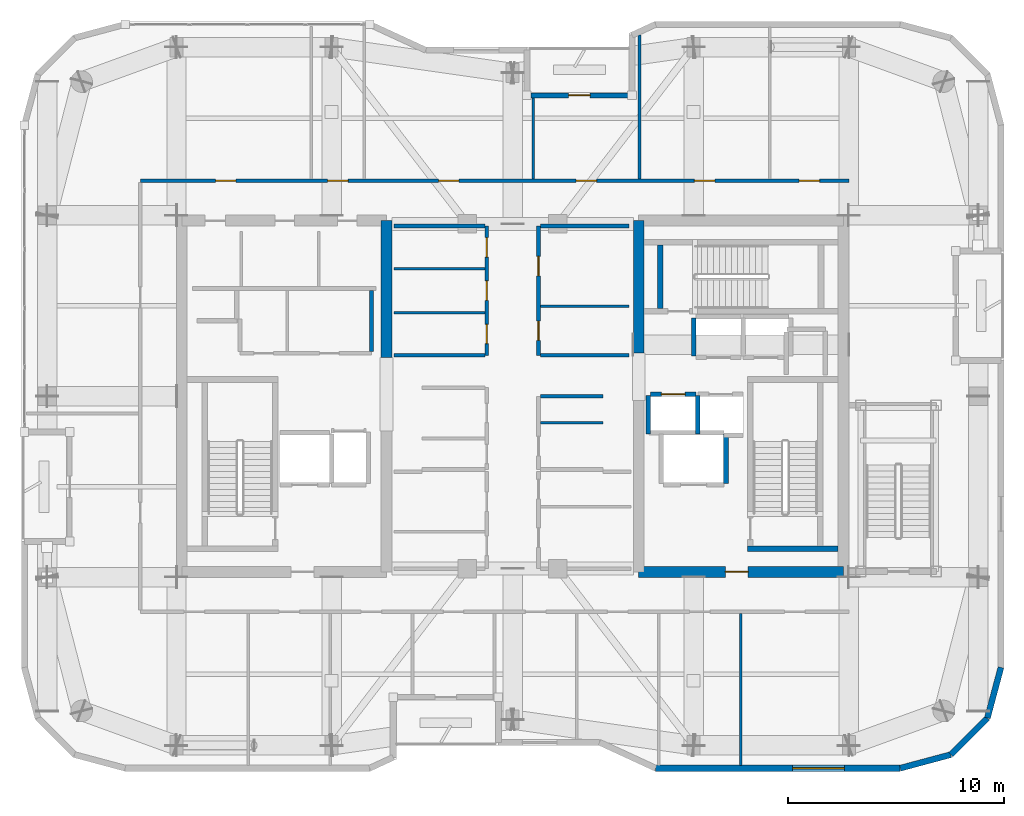
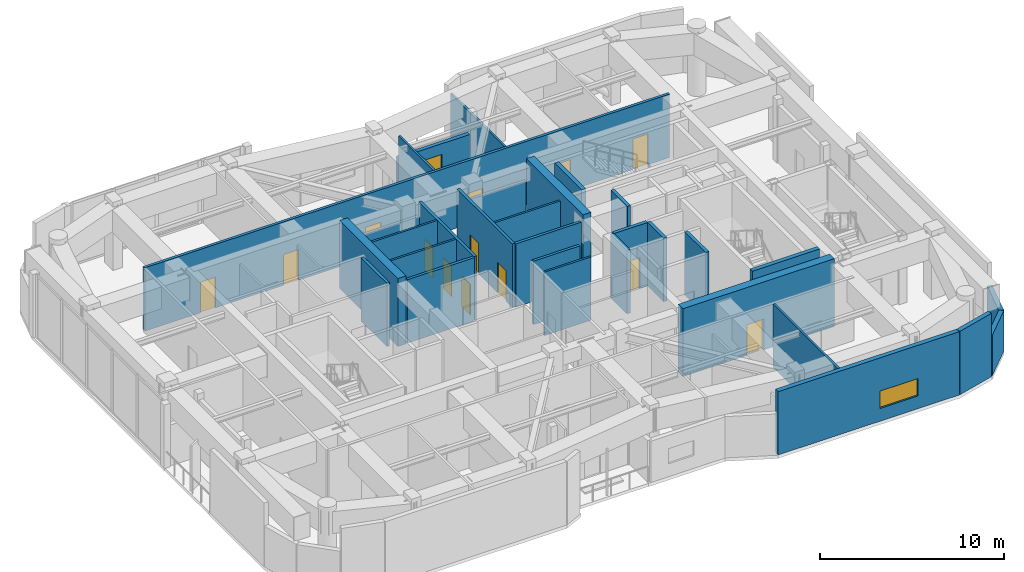
# One storey, part 13 of 17: 31 walls, 14 doors, 1 window, 15 openings.
"""IFC4 building model written with IfcOpenShell, lengths in metres."""

import ifcopenshell
import ifcopenshell.guid

model = None  # the IFC model being written
_history = None  # IfcOwnerHistory: only IFC2X3 demands one
_inside = {}  # id of a spatial element -> (the spatial element, [elements in it])
_under = {}  # id of a project, library or spatial element -> (it, [spatial elements below it])
_declared = {}  # id of a project -> (the project, [libraries it declares])
_typed = {}  # id of a type object -> (the type object, [elements of that type])
_made_of = {}  # id of a material, layer set ... -> (it, [elements and type objects made of it])


def new_model(schema):
    """Start an empty IFC model of exactly this schema.

    Asked for "IFC4X3", IfcOpenShell would pick the latest addendum, in which some entities
    have other attributes; the version numbers below select the first issue.
    IFC2X3 requires an IfcOwnerHistory on every rooted entity: one is made here for all.
    """
    global model, _history
    if schema == "IFC4X3":
        model = ifcopenshell.file(schema_version=(4, 3, 0, 0))
    else:
        model = ifcopenshell.file(schema=schema)
    _inside.clear()
    _under.clear()
    _declared.clear()
    _typed.clear()
    _made_of.clear()
    _history = None
    if model.schema == "IFC2X3":
        org = make("IfcOrganization", Name="unknown")
        user = make(
            "IfcPersonAndOrganization",
            ThePerson=make("IfcPerson", FamilyName="unknown"),
            TheOrganization=org,
        )
        app = make(
            "IfcApplication",
            ApplicationDeveloper=org,
            Version="unknown",
            ApplicationFullName="unknown",
            ApplicationIdentifier="unknown",
        )
        _history = make(
            "IfcOwnerHistory",
            OwningUser=user,
            OwningApplication=app,
            ChangeAction="ADDED",
            CreationDate=0,
        )
    return model


def make(cls, **values):
    """One entity of the class cls with the attributes given. An attribute that is None is left unset."""
    return model.create_entity(
        cls, **{name: value for name, value in values.items() if value is not None}
    )


def rooted(cls, **values):
    """An entity with a GlobalId (a new one), such as an element, a storey or a relation."""
    return make(cls, GlobalId=ifcopenshell.guid.new(), OwnerHistory=_history, **values)


def si_unit(unit_type, name, prefix=None):
    """IfcSIUnit, for example si_unit("LENGTHUNIT", "METRE", prefix="MILLI")."""
    return make("IfcSIUnit", UnitType=unit_type, Prefix=prefix, Name=name)


def assignment(units):
    """IfcUnitAssignment: the units of a project."""
    return None if units is None else make("IfcUnitAssignment", Units=units)


def point(xyz):
    """IfcCartesianPoint."""
    return None if xyz is None else make("IfcCartesianPoint", Coordinates=xyz)


def direction(xyz):
    """IfcDirection."""
    return None if xyz is None else make("IfcDirection", DirectionRatios=xyz)


def frame(location, z_axis=None, x_axis=None):
    """IfcAxis2Placement3D, a coordinate frame: its origin and axes. An axis left out is left unset."""
    return make(
        "IfcAxis2Placement3D",
        Location=point(location),
        Axis=direction(z_axis),
        RefDirection=direction(x_axis),
    )


def frame_2d(location, x_axis=None):
    """IfcAxis2Placement2D, a coordinate frame in the plane: its origin and x axis."""
    return make(
        "IfcAxis2Placement2D", Location=point(location), RefDirection=direction(x_axis)
    )


def origin():
    """The frame at (0, 0, 0) with its axes left unset."""
    return frame((0.0, 0.0, 0.0))


def place(relative_to, where):
    """IfcLocalPlacement: puts the frame where relative to a parent placement (None: the world)."""
    return make(
        "IfcLocalPlacement", PlacementRelTo=relative_to, RelativePlacement=where
    )


def context(
    kind, dimensions, precision=None, world=None, true_north=None, identifier=None
):
    """IfcGeometricRepresentationContext, for example the 3D "Model" context."""
    return make(
        "IfcGeometricRepresentationContext",
        ContextIdentifier=identifier,
        ContextType=kind,
        CoordinateSpaceDimension=dimensions,
        Precision=precision,
        WorldCoordinateSystem=world,
        TrueNorth=true_north,
    )


def subcontext(parent, identifier, kind, view, scale=None):
    """IfcGeometricRepresentationSubContext, for example "Body" below "Model"."""
    return make(
        "IfcGeometricRepresentationSubContext",
        ContextIdentifier=identifier,
        ContextType=kind,
        ParentContext=parent,
        TargetScale=scale,
        TargetView=view,
    )


def project(units=None, contexts=None):
    """IfcProject with its units and contexts."""
    return rooted(
        "IfcProject",
        Name="project",
        RepresentationContexts=contexts,
        UnitsInContext=assignment(units),
    )


def spatial(cls, under=None, at=None, **own):
    """A site, building, storey or space (cls), placed at a placement, below another one or the project."""
    s = rooted(cls, ObjectPlacement=at, **own)
    if under is not None:
        _under.setdefault(under.id(), (under, []))[1].append(s)
    return s


def profile(cls, at=None, kind="AREA", **sizes):
    """A parametric profile (cls). Its sizes go by their IFC names, for example OverallWidth=200.0."""
    return make(cls, ProfileType=kind, Position=at, **sizes)


def rectangle(**sizes):
    """IfcRectangleProfileDef."""
    return profile("IfcRectangleProfileDef", **sizes)


def extrude(swept, where, along, depth):
    """IfcExtrudedAreaSolid: the profile swept, set in the frame where, extruded along a direction by depth."""
    return make(
        "IfcExtrudedAreaSolid",
        SweptArea=swept,
        Position=where,
        ExtrudedDirection=direction(along),
        Depth=depth,
    )


def shape(context_of_items, identifier, shape_type, items):
    """IfcShapeRepresentation: the items that make up one representation, for example the "Body"."""
    return make(
        "IfcShapeRepresentation",
        ContextOfItems=context_of_items,
        RepresentationIdentifier=identifier,
        RepresentationType=shape_type,
        Items=items,
    )


def material(Name=None, Category=None):
    """IfcMaterial."""
    return make("IfcMaterial", Name=Name, Category=Category)


def layer(
    of_material, thickness, ventilated=None, Name=None, Category=None, Priority=None
):
    """IfcMaterialLayer: one layer of a wall or slab, of a material (None: an air gap)."""
    return make(
        "IfcMaterialLayer",
        Material=of_material,
        LayerThickness=thickness,
        IsVentilated=ventilated,
        Name=Name,
        Category=Category,
        Priority=Priority,
    )


def layer_set(layers, Name=None):
    """IfcMaterialLayerSet."""
    return make("IfcMaterialLayerSet", MaterialLayers=layers, LayerSetName=Name)


def made_of(thing, what):
    """Note that an element or type object is made of a material, layer set ...; save() writes the relation."""
    if what is not None:
        _made_of.setdefault(what.id(), (what, []))[1].append(thing)
    return thing


def type_object(cls, material=None, **own):
    """A type object (cls), such as IfcWallType, which elements share."""
    return made_of(rooted(cls, **own), material)


def element(
    cls,
    number,
    at=None,
    inside=None,
    cuts=None,
    type_object=None,
    material=None,
    context=None,
    identifier="Body",
    shape_type=None,
    held_by="IfcProductDefinitionShape",
    body=None,
    shapes=None,
    **own,
):
    """One element of the class cls, such as IfcWall. Its Tag is "e" and its number.

    at: its placement. inside: the storey or other place that contains it. cuts: it is an
    opening in that element (IfcRelVoidsElement). A single representation is given by context,
    identifier, shape_type and body (its items); several are given by shapes. held_by: the class
    of the entity that holds the representations. save() writes the other relations.
    """
    e = rooted(cls, Tag="e%d" % number, ObjectPlacement=at, **own)
    if body is not None:
        shapes = [shape(context, identifier, shape_type, body)]
    if shapes is not None:
        e.Representation = make(held_by, Representations=shapes)
    if inside is not None:
        _inside.setdefault(inside.id(), (inside, []))[1].append(e)
    if cuts is not None:
        rooted(
            "IfcRelVoidsElement", RelatingBuildingElement=cuts, RelatedOpeningElement=e
        )
    if type_object is not None:
        _typed.setdefault(type_object.id(), (type_object, []))[1].append(e)
    return made_of(e, material)


def fill(opening, filler):
    """IfcRelFillsElement: the door or window that sits in an opening."""
    return rooted(
        "IfcRelFillsElement",
        RelatingOpeningElement=opening,
        RelatedBuildingElement=filler,
    )


def aggregate(whole, parts):
    """IfcRelAggregates: a whole, such as a stair, and the parts it consists of."""
    return rooted("IfcRelAggregates", RelatingObject=whole, RelatedObjects=parts)


def save(model, path):
    """Write the relations noted so far, then the file.

    IfcRelAggregates (storeys below a building ...), IfcRelContainedInSpatialStructure (elements
    in a storey), IfcRelDefinesByType, IfcRelAssociatesMaterial and IfcRelDeclares: one each for
    every whole, place, type object, material and project.
    """
    for whole, parts in _under.values():
        aggregate(whole, parts)
    for where, things in _inside.values():
        rooted(
            "IfcRelContainedInSpatialStructure",
            RelatedElements=things,
            RelatingStructure=where,
        )
    for kind, things in _typed.values():
        rooted("IfcRelDefinesByType", RelatedObjects=things, RelatingType=kind)
    for what, things in _made_of.values():
        rooted("IfcRelAssociatesMaterial", RelatedObjects=things, RelatingMaterial=what)
    for by, libraries in _declared.values():
        rooted("IfcRelDeclares", RelatingContext=by, RelatedDefinitions=libraries)
    model.write(path)


model = new_model("IFC4")

# Units and contexts
model_context = context("Model", 3, precision=1e-05, world=origin(), true_north=direction((0.0, 1.0)))
body_context = subcontext(model_context, "Body", "Model", "MODEL_VIEW")
ifc_project = project(units=[si_unit("LENGTHUNIT", "METRE"), si_unit("AREAUNIT", "SQUARE_METRE"), si_unit("VOLUMEUNIT", "CUBIC_METRE"), si_unit("PLANEANGLEUNIT", "RADIAN"), si_unit("MASSUNIT", "GRAM", prefix="KILO")], contexts=[model_context])

# Site, building, storey
site_placement = place(None, origin())
site = spatial("IfcSite", under=ifc_project, at=site_placement, CompositionType="ELEMENT")
building_placement = place(site_placement, origin())
building = spatial("IfcBuilding", under=site, at=building_placement, Name="Kiyonajd Concourse Tower", CompositionType="ELEMENT")
storey_placement = place(building_placement, frame((0.0, 0.0, 350.39990234375)))
storey = spatial("IfcBuildingStorey", under=building, at=storey_placement, Name="L88", CompositionType="ELEMENT", Elevation=350.39990234375)

# Walls
ifc_material_1 = material(Name="Concrete C60/75", Category="concrete")
ifc_layer_1 = layer(ifc_material_1, 0.5)
ifc_layer_set_1 = layer_set([ifc_layer_1], Name="Concrete C60/75")
wall_type_1 = type_object("IfcWallType", Name="WL-CORE-500", PredefinedType="SHEAR", material=ifc_layer_set_1)
wall_1_placement = place(storey_placement, frame((42.14990234375, 37.800048828125, 0.0), z_axis=(0.0, 0.0, 1.0), x_axis=(0.0, 1.0, 0.0)))
element("IfcWall", 1, at=wall_1_placement, inside=storey, type_object=wall_type_1, Name="L88 West Core Inner North Shear Wall", PredefinedType="SHEAR", context=body_context, shape_type="SweptSolid", body=[
    extrude(rectangle(XDim=6.349853515625, YDim=0.5, at=frame_2d((3.1748046875, 0.0))), origin(), (0.0, 0.0, 1.0), 4.5),
])
wall_2_placement = place(storey_placement, frame((53.85009765625, 38.0, 0.0), z_axis=(0.0, 0.0, 1.0), x_axis=(0.0, 1.0, 0.0)))
element("IfcWall", 2, at=wall_2_placement, inside=storey, type_object=wall_type_1, Name="L88 East Core Inner North Shear Wall", PredefinedType="SHEAR", context=body_context, shape_type="SweptSolid", body=[
    extrude(rectangle(XDim=6.14990234375, YDim=0.5, at=frame_2d((3.074951171875, 0.0))), origin(), (0.0, 0.0, 1.0), 4.5),
])

# Wall, opening, door
wall_3_placement = place(storey_placement, frame((53.85009765625, 27.85009765625, 0.0), z_axis=(0.0, 0.0, 1.0), x_axis=(1.0, 0.0, 0.0)))
wall_3 = element("IfcWall", 3, at=wall_3_placement, inside=storey, type_object=wall_type_1, Name="L88 East Core South Shear Wall", PredefinedType="SHEAR", context=body_context, shape_type="SweptSolid", body=[
    extrude(rectangle(XDim=9.5, YDim=0.5, at=frame_2d((4.75, 0.0))), origin(), (0.0, 0.0, 1.0), 4.5),
])
opening_1_placement = place(wall_3_placement, frame((4.02490234375, 0.0, 0.0)))
opening_1 = element("IfcOpeningElement", 4, at=opening_1_placement, cuts=wall_3, Name="Opening DF5", PredefinedType="OPENING", context=body_context, shape_type="SweptSolid", body=[
    extrude(rectangle(XDim=1.050048828125, YDim=2.0400390625, at=frame_2d((0.52490234375, 1.02001953125))), frame((0.0, 0.260009765625, 0.0), z_axis=(0.0, -1.0, 0.0), x_axis=(1.0, 0.0, 0.0)), (0.0, 0.0, 1.0), 0.52001953125),
])
ifc_material_2 = material(Name="Brushed Stainless Steel Cab Assembly", Category="steel")
door_type_1 = type_object("IfcDoorType", Name="DR-FD45-1050", OperationType="NOTDEFINED", PredefinedType="DOOR", material=ifc_material_2)
door_1_placement = place(opening_1_placement, origin())
door_1 = element("IfcDoor", 5, at=door_1_placement, inside=storey, type_object=door_type_1, Name="L88 Firefighting Lift Lobby E Smoke Door", OperationType="SINGLE_SWING_RIGHT", OverallHeight=2.0400390625, OverallWidth=1.050048828125, PredefinedType="DOOR", context=body_context, shape_type="SweptSolid", body=[
    extrude(rectangle(XDim=1.050048828125, YDim=2.0400390625, at=frame_2d((0.52490234375, 1.02001953125))), frame((0.0, 0.02490234375, 0.0), z_axis=(0.0, -1.0, 0.0), x_axis=(1.0, 0.0, 0.0)), (0.0, 0.0, 1.0), 0.050048828125),
])
fill(opening_1, door_1)

# Walls
ifc_material_3 = material(Name="Precast concrete C50/60", Category="concrete")
ifc_layer_2 = layer(ifc_material_3, 0.280029296875)
ifc_layer_set_2 = layer_set([ifc_layer_2], Name="Precast concrete C50/60")
wall_type_2 = type_object("IfcWallType", Name="WL-EXT-280", PredefinedType="SOLIDWALL", material=ifc_layer_set_2)
wall_4_placement = place(storey_placement, frame((70.659912109375, 23.41845703125, 0.0), z_axis=(0.0, 0.0, 1.0), x_axis=(-0.258751159445, -0.965944013639, 0.0)))
element("IfcWall", 6, at=wall_4_placement, inside=storey, type_object=wall_type_2, Name="L88 Exterior Concrete Frame Wall 25", PredefinedType="SOLIDWALL", context=body_context, shape_type="SweptSolid", body=[
    extrude(rectangle(XDim=2.4287109375, YDim=0.280029296875, at=frame_2d((1.21435546875, 0.0))), origin(), (0.0, 0.0, 1.0), 2.695068359375),
])
wall_5_placement = place(storey_placement, frame((70.031494140625, 21.072509765625, 0.0), z_axis=(0.0, 0.0, 1.0), x_axis=(-0.707106781187, -0.707106781187, 0.0)))
element("IfcWall", 7, at=wall_5_placement, inside=storey, type_object=wall_type_2, Name="L88 Exterior Concrete Frame Wall 26", PredefinedType="SOLIDWALL", context=body_context, shape_type="SweptSolid", body=[
    extrude(rectangle(XDim=2.409912109375, YDim=0.280029296875, at=frame_2d((1.205078125, 0.0))), origin(), (0.0, 0.0, 1.0), 2.695068359375),
])
wall_6_placement = place(storey_placement, frame((68.327392578125, 19.368408203125, 0.0), z_axis=(0.0, 0.0, 1.0), x_axis=(-0.965937282298, -0.25877628691, 0.0)))
element("IfcWall", 8, at=wall_6_placement, inside=storey, type_object=wall_type_2, Name="L88 Exterior Concrete Frame Wall 27", PredefinedType="SOLIDWALL", context=body_context, shape_type="SweptSolid", body=[
    extrude(rectangle(XDim=2.428466796875, YDim=0.280029296875, at=frame_2d((1.21435546875, 0.0))), origin(), (0.0, 0.0, 1.0), 4.2001953125),
])

# Wall, opening, window
wall_7_placement = place(storey_placement, frame((65.981689453125, 18.739990234375, 0.0), z_axis=(0.0, 0.0, 1.0), x_axis=(-1.0, 0.0, 0.0)))
wall_7 = element("IfcWall", 9, at=wall_7_placement, inside=storey, type_object=wall_type_2, Name="L88 Exterior Concrete Frame Wall 28", PredefinedType="SOLIDWALL", context=body_context, shape_type="SweptSolid", body=[
    extrude(rectangle(XDim=11.35107421875, YDim=0.280029296875, at=frame_2d((5.675537109375, 0.0))), origin(), (0.0, 0.0, 1.0), 4.2001953125),
])
opening_2_placement = place(wall_7_placement, frame((2.591064453125, 0.0, 0.85009765625)))
opening_2 = element("IfcOpeningElement", 10, at=opening_2_placement, cuts=wall_7, Name="Opening WN4", PredefinedType="OPENING", context=body_context, shape_type="SweptSolid", body=[
    extrude(rectangle(XDim=2.39990234375, YDim=1.14990234375, at=frame_2d((1.199951171875, 0.574951171875))), frame((0.0, 0.14990234375, 0.0), z_axis=(0.0, -1.0, 0.0), x_axis=(1.0, 0.0, 0.0)), (0.0, 0.0, 1.0), 0.300048828125),
])
ifc_material_4 = material(Name="Double Low-E Insulated Glass", Category="glass")
window_type = type_object("IfcWindowType", Name="WN-VIS-2400x1150", PartitioningType="SINGLE_PANEL", PredefinedType="WINDOW", material=ifc_material_4)
window_placement = place(opening_2_placement, origin())
window = element("IfcWindow", 11, at=window_placement, inside=storey, type_object=window_type, Name="L88 Modular Facade Vision Window 28", OverallHeight=1.14990234375, OverallWidth=2.39990234375, PartitioningType="SINGLE_PANEL", PredefinedType="WINDOW", context=body_context, shape_type="SweptSolid", body=[
    extrude(rectangle(XDim=2.39990234375, YDim=1.14990234375, at=frame_2d((1.199951171875, 0.574951171875))), frame((0.0, 0.030029296875, 0.0), z_axis=(0.0, -1.0, 0.0), x_axis=(1.0, 0.0, 0.0)), (0.0, 0.0, 1.0), 0.06005859375),
])
fill(opening_2, window)

# Wall, opening, door
ifc_layer_3 = layer(ifc_material_3, 0.239990234375)
ifc_layer_set_3 = layer_set([ifc_layer_3], Name="Precast concrete C50/60")
wall_type_3 = type_object("IfcWallType", Name="WL-LOG-240", PredefinedType="SOLIDWALL", material=ifc_layer_set_3)
wall_8_placement = place(storey_placement, frame((48.85498046875, 49.9599609375, 0.0), z_axis=(0.0, 0.0, 1.0), x_axis=(1.0, 0.0, 0.0)))
wall_8 = element("IfcWall", 12, at=wall_8_placement, inside=storey, type_object=wall_type_3, Name="L88 Recessed Loggia Thermal Wall LOG-N", PredefinedType="SOLIDWALL", context=body_context, shape_type="SweptSolid", body=[
    extrude(rectangle(XDim=4.489990234375, YDim=0.239990234375, at=frame_2d((2.2451171875, 0.0))), origin(), (0.0, 0.0, 1.0), 2.735107421875),
])
opening_3_placement = place(wall_8_placement, frame((1.7451171875, 0.0, 0.0)))
opening_3 = element("IfcOpeningElement", 13, at=opening_3_placement, cuts=wall_8, Name="Opening DL1", PredefinedType="OPENING", context=body_context, shape_type="SweptSolid", body=[
    extrude(rectangle(XDim=1.0, YDim=2.02001953125, at=frame_2d((0.5, 1.010009765625))), frame((0.0, 0.1298828125, 0.0), z_axis=(0.0, -1.0, 0.0), x_axis=(1.0, 0.0, 0.0)), (0.0, 0.0, 1.0), 0.260009765625),
])
ifc_material_5 = material(Name="Thermally Broken Anodised Aluminium", Category="aluminium")
door_type_2 = type_object("IfcDoorType", Name="DR-LOG-1000", OperationType="NOTDEFINED", PredefinedType="DOOR", material=ifc_material_5)
door_2_placement = place(opening_3_placement, origin())
door_2 = element("IfcDoor", 14, at=door_2_placement, inside=storey, type_object=door_type_2, Name="L88 Engawa Loggia Access Door LOG-N", OperationType="SINGLE_SWING_RIGHT", OverallHeight=2.02001953125, OverallWidth=1.0, PredefinedType="DOOR", context=body_context, shape_type="SweptSolid", body=[
    extrude(rectangle(XDim=1.0, YDim=2.02001953125, at=frame_2d((0.5, 1.010009765625))), frame((0.0, 0.02490234375, 0.0), z_axis=(0.0, -1.0, 0.0), x_axis=(1.0, 0.0, 0.0)), (0.0, 0.0, 1.0), 0.050048828125),
])
fill(opening_3, door_2)

# Walls
ifc_material_6 = material(Name="Gypsum Board on Cold-Formed Steel Stud", Category="steel")
ifc_layer_4 = layer(ifc_material_6, 0.125)
ifc_layer_set_4 = layer_set([ifc_layer_4], Name="Gypsum Board on Cold-Formed Steel Stud")
wall_type_4 = type_object("IfcWallType", Name="WL-PART-125", PredefinedType="PARTITIONING", material=ifc_layer_set_4)
wall_9_placement = place(storey_placement, frame((49.287109375, 34.77587890625, 0.0), z_axis=(0.0, 0.0, 1.0), x_axis=(1.0, 0.0, 0.0)))
element("IfcWall", 15, at=wall_9_placement, inside=storey, type_object=wall_type_4, Name="L88 Interior Partition Wall", PredefinedType="PARTITIONING", context=body_context, shape_type="SweptSolid", body=[
    extrude(rectangle(XDim=2.912841796875, YDim=0.125, at=frame_2d((1.45654296875, 0.0))), origin(), (0.0, 0.0, 1.0), 4.2001953125),
])
for number, where, z_axis, x_axis, name in (
    (16, (42.5, 39.8798828125, 0.0), (0.0, 0.0, 1.0), (1.0, 0.0, 0.0), "L88 Interior Partition Wall"),
    (17, (42.5, 41.919921875, 0.0), (0.0, 0.0, 1.0), (1.0, 0.0, 0.0), "L88 Interior Partition Wall"),
):
    element("IfcWall", number, at=place(storey_placement, frame(where, z_axis=z_axis, x_axis=x_axis)), inside=storey, type_object=wall_type_4, Name=name, PredefinedType="PARTITIONING", context=body_context, shape_type="SweptSolid", body=[
        extrude(rectangle(XDim=4.212890625, YDim=0.125, at=frame_2d((2.1064453125, 0.0))), origin(), (0.0, 0.0, 1.0), 4.2001953125),
    ])
wall_10_placement = place(storey_placement, frame((49.287109375, 40.179931640625, 0.0), z_axis=(0.0, 0.0, 1.0), x_axis=(1.0, 0.0, 0.0)))
element("IfcWall", 18, at=wall_10_placement, inside=storey, type_object=wall_type_4, Name="L88 Interior Partition Wall", PredefinedType="PARTITIONING", context=body_context, shape_type="SweptSolid", body=[
    extrude(rectangle(XDim=4.11279296875, YDim=0.125, at=frame_2d((2.056396484375, 0.0))), origin(), (0.0, 0.0, 1.0), 4.2001953125),
])
wall_11_placement = place(storey_placement, frame((58.590087890625, 18.875, 0.0), z_axis=(0.0, 0.0, 1.0), x_axis=(0.0, 1.0, 0.0)))
element("IfcWall", 19, at=wall_11_placement, inside=storey, type_object=wall_type_4, Name="L88 Interior Partition Wall", PredefinedType="PARTITIONING", context=body_context, shape_type="SweptSolid", body=[
    extrude(rectangle(XDim=7.0380859375, YDim=0.125, at=frame_2d((3.51904296875, 0.0))), origin(), (0.0, 0.0, 1.0), 4.2001953125),
])
wall_12_placement = place(storey_placement, frame((48.949951171875, 46.0869140625, 0.0), z_axis=(0.0, 0.0, 1.0), x_axis=(0.0, 1.0, 0.0)))
element("IfcWall", 20, at=wall_12_placement, inside=storey, type_object=wall_type_4, Name="L88 Interior Partition Wall", PredefinedType="PARTITIONING", context=body_context, shape_type="SweptSolid", body=[
    extrude(rectangle(XDim=3.758056640625, YDim=0.125, at=frame_2d((1.87890625, 0.0))), origin(), (0.0, 0.0, 1.0), 4.2001953125),
])
wall_13_placement = place(storey_placement, frame((53.889892578125, 46.0869140625, 0.0), z_axis=(0.0, 0.0, 1.0), x_axis=(0.0, 1.0, 0.0)))
element("IfcWall", 21, at=wall_13_placement, inside=storey, type_object=wall_type_4, Name="L88 Interior Partition Wall", PredefinedType="PARTITIONING", context=body_context, shape_type="SweptSolid", body=[
    extrude(rectangle(XDim=6.67919921875, YDim=0.125, at=frame_2d((3.339599609375, 0.0))), origin(), (0.0, 0.0, 1.0), 3.523193359375),
])
ifc_layer_5 = layer(ifc_material_6, 0.2099609375)
ifc_layer_set_5 = layer_set([ifc_layer_5], Name="Gypsum Board on Cold-Formed Steel Stud")
wall_type_5 = type_object("IfcWallType", Name="WL-SHAFT-210", PredefinedType="PARTITIONING", material=ifc_layer_set_5)
wall_14_placement = place(storey_placement, frame((57.89990234375, 31.9599609375, 0.0), z_axis=(0.0, 0.0, 1.0), x_axis=(0.0, 1.0, 0.0)))
element("IfcWall", 22, at=wall_14_placement, inside=storey, type_object=wall_type_5, Name="L88 Shaft Enclosure Wall", PredefinedType="PARTITIONING", context=body_context, shape_type="SweptSolid", body=[
    extrude(rectangle(XDim=2.280029296875, YDim=0.2099609375, at=frame_2d((1.14013671875, 0.0))), origin(), (0.0, 0.0, 1.0), 4.2001953125),
])

# Wall, opening, door
wall_15_placement = place(storey_placement, frame((54.39990234375, 36.10009765625, 0.0), z_axis=(0.0, 0.0, 1.0), x_axis=(1.0, 0.0, 0.0)))
wall_15 = element("IfcWall", 23, at=wall_15_placement, inside=storey, type_object=wall_type_5, Name="L88 Shaft Enclosure Wall", PredefinedType="PARTITIONING", context=body_context, shape_type="SweptSolid", body=[
    extrude(rectangle(XDim=2.10009765625, YDim=0.2099609375, at=frame_2d((1.050048828125, 0.0))), origin(), (0.0, 0.0, 1.0), 4.2001953125),
])
opening_4_placement = place(wall_15_placement, frame((0.5, 0.0, 0.0)))
opening_4 = element("IfcOpeningElement", 24, at=opening_4_placement, cuts=wall_15, Name="Opening LD1", PredefinedType="OPENING", context=body_context, shape_type="SweptSolid", body=[
    extrude(rectangle(XDim=1.10009765625, YDim=2.0400390625, at=frame_2d((0.550048828125, 1.02001953125))), frame((0.0, 0.114990234375, 0.0), z_axis=(0.0, -1.0, 0.0), x_axis=(1.0, 0.0, 0.0)), (0.0, 0.0, 1.0), 0.22998046875),
])
door_type_3 = type_object("IfcDoorType", Name="DR-LD-1100", OperationType="DOUBLE_DOOR_SLIDING", PredefinedType="DOOR", material=ifc_material_2)
door_3_placement = place(opening_4_placement, origin())
door_3 = element("IfcDoor", 25, at=door_3_placement, inside=storey, type_object=door_type_3, Name="L88 Lift PL-H1 Sliding Landing Door", OperationType="DOUBLE_DOOR_SLIDING", OverallHeight=2.0400390625, OverallWidth=1.10009765625, PredefinedType="DOOR", context=body_context, shape_type="SweptSolid", body=[
    extrude(rectangle(XDim=1.10009765625, YDim=2.0400390625, at=frame_2d((0.550048828125, 1.02001953125))), frame((0.0, 0.02490234375, 0.0), z_axis=(0.0, -1.0, 0.0), x_axis=(1.0, 0.0, 0.0)), (0.0, 0.0, 1.0), 0.050048828125),
])
fill(opening_4, door_3)

# Walls
for number, where, z_axis, x_axis, name in (
    (26, (54.300048828125, 34.260009765625, 0.0), (0.0, 0.0, 1.0), (0.0, 1.0, 0.0), "L88 Shaft Enclosure Wall"),
    (27, (56.60009765625, 34.260009765625, 0.0), (0.0, 0.0, 1.0), (0.0, 1.0, 0.0), "L88 Shaft Enclosure Wall"),
):
    element("IfcWall", number, at=place(storey_placement, frame(where, z_axis=z_axis, x_axis=x_axis)), inside=storey, type_object=wall_type_5, Name=name, PredefinedType="PARTITIONING", context=body_context, shape_type="SweptSolid", body=[
        extrude(rectangle(XDim=1.780029296875, YDim=0.2099609375, at=frame_2d((0.89013671875, 0.0))), origin(), (0.0, 0.0, 1.0), 4.2001953125),
    ])
wall_16_placement = place(storey_placement, frame((56.39990234375, 37.860107421875, 0.0), z_axis=(0.0, 0.0, 1.0), x_axis=(0.0, 1.0, 0.0)))
element("IfcWall", 28, at=wall_16_placement, inside=storey, type_object=wall_type_5, Name="L88 Shaft Enclosure Wall", PredefinedType="PARTITIONING", context=body_context, shape_type="SweptSolid", body=[
    extrude(rectangle(XDim=1.77978515625, YDim=0.2099609375, at=frame_2d((0.889892578125, 0.0))), origin(), (0.0, 0.0, 1.0), 4.2001953125),
])
ifc_layer_6 = layer(ifc_material_6, 0.169921875)
ifc_layer_set_6 = layer_set([ifc_layer_6], Name="Gypsum Board on Cold-Formed Steel Stud")
wall_type_6 = type_object("IfcWallType", Name="WL-SMK-170", PredefinedType="PARTITIONING", material=ifc_layer_set_6)
wall_17_placement = place(storey_placement, frame((41.449951171875, 38.0869140625, 0.0), z_axis=(0.0, 0.0, 1.0), x_axis=(0.0, 1.0, 0.0)))
element("IfcWall", 29, at=wall_17_placement, inside=storey, type_object=wall_type_6, Name="L88 Interior Partition Wall", PredefinedType="PARTITIONING", context=body_context, shape_type="SweptSolid", body=[
    extrude(rectangle(XDim=2.81298828125, YDim=0.169921875, at=frame_2d((1.406494140625, 0.0))), origin(), (0.0, 0.0, 1.0), 4.2001953125),
])
wall_18_placement = place(storey_placement, frame((49.287109375, 36.0, 0.0), z_axis=(0.0, 0.0, 1.0), x_axis=(1.0, 0.0, 0.0)))
element("IfcWall", 30, at=wall_18_placement, inside=storey, type_object=wall_type_6, Name="L88 Interior Partition Wall", PredefinedType="PARTITIONING", context=body_context, shape_type="SweptSolid", body=[
    extrude(rectangle(XDim=2.912841796875, YDim=0.169921875, at=frame_2d((1.45654296875, 0.0))), origin(), (0.0, 0.0, 1.0), 4.2001953125),
])

# Wall, openings, doors
wall_19_placement = place(storey_placement, frame((46.800048828125, 37.89990234375, 0.0), z_axis=(0.0, 0.0, 1.0), x_axis=(0.0, 1.0, 0.0)))
wall_19 = element("IfcWall", 31, at=wall_19_placement, inside=storey, type_object=wall_type_6, Name="L88 Interior Partition Wall", PredefinedType="PARTITIONING", context=body_context, shape_type="SweptSolid", body=[
    extrude(rectangle(XDim=6.0, YDim=0.169921875, at=frame_2d((3.0, 0.0))), origin(), (0.0, 0.0, 1.0), 4.2001953125),
])
opening_5_placement = place(wall_19_placement, frame((0.5400390625, 0.0, 0.0)))
opening_5 = element("IfcOpeningElement", 32, at=opening_5_placement, cuts=wall_19, Name="Opening DI2", PredefinedType="OPENING", context=body_context, shape_type="SweptSolid", body=[
    extrude(rectangle(XDim=0.89990234375, YDim=2.02001953125, at=frame_2d((0.449951171875, 1.010009765625))), frame((0.0, 0.094970703125, 0.0), z_axis=(0.0, -1.0, 0.0), x_axis=(1.0, 0.0, 0.0)), (0.0, 0.0, 1.0), 0.18994140625),
])
opening_6_placement = place(wall_19_placement, frame((2.550048828125, 0.0, 0.0)))
opening_6 = element("IfcOpeningElement", 33, at=opening_6_placement, cuts=wall_19, Name="Opening DI2", PredefinedType="OPENING", context=body_context, shape_type="SweptSolid", body=[
    extrude(rectangle(XDim=0.89990234375, YDim=2.02001953125, at=frame_2d((0.449951171875, 1.010009765625))), frame((0.0, 0.094970703125, 0.0), z_axis=(0.0, -1.0, 0.0), x_axis=(1.0, 0.0, 0.0)), (0.0, 0.0, 1.0), 0.18994140625),
])
opening_7_placement = place(wall_19_placement, frame((4.56005859375, 0.0, 0.0)))
opening_7 = element("IfcOpeningElement", 34, at=opening_7_placement, cuts=wall_19, Name="Opening DI2", PredefinedType="OPENING", context=body_context, shape_type="SweptSolid", body=[
    extrude(rectangle(XDim=0.89990234375, YDim=2.02001953125, at=frame_2d((0.449951171875, 1.010009765625))), frame((0.0, 0.094970703125, 0.0), z_axis=(0.0, -1.0, 0.0), x_axis=(1.0, 0.0, 0.0)), (0.0, 0.0, 1.0), 0.18994140625),
])
ifc_material_7 = material(Name="Natural Oak Acoustic Timber Veneer", Category="wood")
door_type_4 = type_object("IfcDoorType", Name="DR-INT-900", OperationType="NOTDEFINED", PredefinedType="DOOR", material=ifc_material_7)
door_4_placement = place(opening_5_placement, origin())
door_4 = element("IfcDoor", 35, at=door_4_placement, inside=storey, type_object=door_type_4, Name="L88 Interior Door", OperationType="SINGLE_SWING_LEFT", OverallHeight=2.02001953125, OverallWidth=0.89990234375, PredefinedType="DOOR", context=body_context, shape_type="SweptSolid", body=[
    extrude(rectangle(XDim=0.89990234375, YDim=2.02001953125, at=frame_2d((0.449951171875, 1.010009765625))), frame((0.0, 0.02490234375, 0.0), z_axis=(0.0, -1.0, 0.0), x_axis=(1.0, 0.0, 0.0)), (0.0, 0.0, 1.0), 0.050048828125),
])
fill(opening_5, door_4)
door_5_placement = place(opening_6_placement, origin())
door_5 = element("IfcDoor", 36, at=door_5_placement, inside=storey, type_object=door_type_4, Name="L88 Interior Door", OperationType="SINGLE_SWING_RIGHT", OverallHeight=2.02001953125, OverallWidth=0.89990234375, PredefinedType="DOOR", context=body_context, shape_type="SweptSolid", body=[
    extrude(rectangle(XDim=0.89990234375, YDim=2.02001953125, at=frame_2d((0.449951171875, 1.010009765625))), frame((0.0, 0.02490234375, 0.0), z_axis=(0.0, -1.0, 0.0), x_axis=(1.0, 0.0, 0.0)), (0.0, 0.0, 1.0), 0.050048828125),
])
fill(opening_6, door_5)
door_6_placement = place(opening_7_placement, origin())
door_6 = element("IfcDoor", 37, at=door_6_placement, inside=storey, type_object=door_type_4, Name="L88 Interior Door", OperationType="SINGLE_SWING_LEFT", OverallHeight=2.02001953125, OverallWidth=0.89990234375, PredefinedType="DOOR", context=body_context, shape_type="SweptSolid", body=[
    extrude(rectangle(XDim=0.89990234375, YDim=2.02001953125, at=frame_2d((0.449951171875, 1.010009765625))), frame((0.0, 0.02490234375, 0.0), z_axis=(0.0, -1.0, 0.0), x_axis=(1.0, 0.0, 0.0)), (0.0, 0.0, 1.0), 0.050048828125),
])
fill(opening_7, door_6)

# Walls
wall_20_placement = place(storey_placement, frame((42.5, 37.89990234375, 0.0), z_axis=(0.0, 0.0, 1.0), x_axis=(1.0, 0.0, 0.0)))
element("IfcWall", 38, at=wall_20_placement, inside=storey, type_object=wall_type_6, Name="L88 Interior Partition Wall", PredefinedType="PARTITIONING", context=body_context, shape_type="SweptSolid", body=[
    extrude(rectangle(XDim=4.212890625, YDim=0.169921875, at=frame_2d((2.1064453125, 0.0))), origin(), (0.0, 0.0, 1.0), 4.2001953125),
])
wall_21_placement = place(storey_placement, frame((42.5, 43.89990234375, 0.0), z_axis=(0.0, 0.0, 1.0), x_axis=(1.0, 0.0, 0.0)))
element("IfcWall", 39, at=wall_21_placement, inside=storey, type_object=wall_type_6, Name="L88 Interior Partition Wall", PredefinedType="PARTITIONING", context=body_context, shape_type="SweptSolid", body=[
    extrude(rectangle(XDim=4.212890625, YDim=0.169921875, at=frame_2d((2.1064453125, 0.0))), origin(), (0.0, 0.0, 1.0), 3.28515625),
])

# Wall, openings, doors
wall_22_placement = place(storey_placement, frame((49.199951171875, 37.89990234375, 0.0), z_axis=(0.0, 0.0, 1.0), x_axis=(0.0, 1.0, 0.0)))
wall_22 = element("IfcWall", 40, at=wall_22_placement, inside=storey, type_object=wall_type_6, Name="L88 Interior Partition Wall", PredefinedType="PARTITIONING", context=body_context, shape_type="SweptSolid", body=[
    extrude(rectangle(XDim=6.0, YDim=0.169921875, at=frame_2d((3.0, 0.0))), origin(), (0.0, 0.0, 1.0), 4.2001953125),
])
opening_8_placement = place(wall_22_placement, frame((0.68994140625, 0.0, 0.0)))
opening_8 = element("IfcOpeningElement", 41, at=opening_8_placement, cuts=wall_22, Name="Opening DI2", PredefinedType="OPENING", context=body_context, shape_type="SweptSolid", body=[
    extrude(rectangle(XDim=0.89990234375, YDim=2.02001953125, at=frame_2d((0.449951171875, 1.010009765625))), frame((0.0, 0.094970703125, 0.0), z_axis=(0.0, -1.0, 0.0), x_axis=(1.0, 0.0, 0.0)), (0.0, 0.0, 1.0), 0.18994140625),
])
opening_9_placement = place(wall_22_placement, frame((3.68994140625, 0.0, 0.0)))
opening_9 = element("IfcOpeningElement", 42, at=opening_9_placement, cuts=wall_22, Name="Opening DI2", PredefinedType="OPENING", context=body_context, shape_type="SweptSolid", body=[
    extrude(rectangle(XDim=0.89990234375, YDim=2.02001953125, at=frame_2d((0.449951171875, 1.010009765625))), frame((0.0, 0.094970703125, 0.0), z_axis=(0.0, -1.0, 0.0), x_axis=(1.0, 0.0, 0.0)), (0.0, 0.0, 1.0), 0.18994140625),
])
door_7_placement = place(opening_8_placement, origin())
door_7 = element("IfcDoor", 43, at=door_7_placement, inside=storey, type_object=door_type_4, Name="L88 Interior Door", OperationType="SINGLE_SWING_RIGHT", OverallHeight=2.02001953125, OverallWidth=0.89990234375, PredefinedType="DOOR", context=body_context, shape_type="SweptSolid", body=[
    extrude(rectangle(XDim=0.89990234375, YDim=2.02001953125, at=frame_2d((0.449951171875, 1.010009765625))), frame((0.0, 0.02490234375, 0.0), z_axis=(0.0, -1.0, 0.0), x_axis=(1.0, 0.0, 0.0)), (0.0, 0.0, 1.0), 0.050048828125),
])
fill(opening_8, door_7)
door_8_placement = place(opening_9_placement, origin())
door_8 = element("IfcDoor", 44, at=door_8_placement, inside=storey, type_object=door_type_4, Name="L88 Interior Door", OperationType="SINGLE_SWING_LEFT", OverallHeight=2.02001953125, OverallWidth=0.89990234375, PredefinedType="DOOR", context=body_context, shape_type="SweptSolid", body=[
    extrude(rectangle(XDim=0.89990234375, YDim=2.02001953125, at=frame_2d((0.449951171875, 1.010009765625))), frame((0.0, 0.02490234375, 0.0), z_axis=(0.0, -1.0, 0.0), x_axis=(1.0, 0.0, 0.0)), (0.0, 0.0, 1.0), 0.050048828125),
])
fill(opening_9, door_8)

# Walls
wall_23_placement = place(storey_placement, frame((49.287109375, 37.89990234375, 0.0), z_axis=(0.0, 0.0, 1.0), x_axis=(1.0, 0.0, 0.0)))
element("IfcWall", 45, at=wall_23_placement, inside=storey, type_object=wall_type_6, Name="L88 Interior Partition Wall", PredefinedType="PARTITIONING", context=body_context, shape_type="SweptSolid", body=[
    extrude(rectangle(XDim=4.11279296875, YDim=0.169921875, at=frame_2d((2.056396484375, 0.0))), origin(), (0.0, 0.0, 1.0), 4.2001953125),
])
wall_24_placement = place(storey_placement, frame((49.287109375, 43.89990234375, 0.0), z_axis=(0.0, 0.0, 1.0), x_axis=(1.0, 0.0, 0.0)))
element("IfcWall", 46, at=wall_24_placement, inside=storey, type_object=wall_type_6, Name="L88 Interior Partition Wall", PredefinedType="PARTITIONING", context=body_context, shape_type="SweptSolid", body=[
    extrude(rectangle(XDim=4.11279296875, YDim=0.169921875, at=frame_2d((2.056396484375, 0.0))), origin(), (0.0, 0.0, 1.0), 3.28515625),
])

# Wall, openings, doors
wall_25_placement = place(storey_placement, frame((30.72509765625, 46.0, 0.0), z_axis=(0.0, 0.0, 1.0), x_axis=(1.0, 0.0, 0.0)))
wall_25 = element("IfcWall", 47, at=wall_25_placement, inside=storey, type_object=wall_type_6, Name="L88 Interior Partition Wall", PredefinedType="PARTITIONING", context=body_context, shape_type="SweptSolid", body=[
    extrude(rectangle(XDim=32.875, YDim=0.169921875, at=frame_2d((16.4375, 0.0))), origin(), (0.0, 0.0, 1.0), 4.2001953125),
])
opening_10_placement = place(wall_25_placement, frame((3.487060546875, 0.0, 0.0)))
opening_10 = element("IfcOpeningElement", 48, at=opening_10_placement, cuts=wall_25, Name="Opening DI1", PredefinedType="OPENING", context=body_context, shape_type="SweptSolid", body=[
    extrude(rectangle(XDim=0.949951171875, YDim=2.0400390625, at=frame_2d((0.47509765625, 1.02001953125))), frame((0.0, 0.094970703125, 0.0), z_axis=(0.0, -1.0, 0.0), x_axis=(1.0, 0.0, 0.0)), (0.0, 0.0, 1.0), 0.18994140625),
])
opening_11_placement = place(wall_25_placement, frame((8.68505859375, 0.0, 0.0)))
opening_11 = element("IfcOpeningElement", 49, at=opening_11_placement, cuts=wall_25, Name="Opening DI1", PredefinedType="OPENING", context=body_context, shape_type="SweptSolid", body=[
    extrude(rectangle(XDim=0.949951171875, YDim=2.0400390625, at=frame_2d((0.47509765625, 1.02001953125))), frame((0.0, 0.094970703125, 0.0), z_axis=(0.0, -1.0, 0.0), x_axis=(1.0, 0.0, 0.0)), (0.0, 0.0, 1.0), 0.18994140625),
])
opening_12_placement = place(wall_25_placement, frame((13.8349609375, 0.0, 0.0)))
opening_12 = element("IfcOpeningElement", 50, at=opening_12_placement, cuts=wall_25, Name="Opening DI1", PredefinedType="OPENING", context=body_context, shape_type="SweptSolid", body=[
    extrude(rectangle(XDim=0.949951171875, YDim=2.0400390625, at=frame_2d((0.47509765625, 1.02001953125))), frame((0.0, 0.094970703125, 0.0), z_axis=(0.0, -1.0, 0.0), x_axis=(1.0, 0.0, 0.0)), (0.0, 0.0, 1.0), 0.18994140625),
])
opening_13_placement = place(wall_25_placement, frame((20.219970703125, 0.0, 0.0)))
opening_13 = element("IfcOpeningElement", 51, at=opening_13_placement, cuts=wall_25, Name="Opening DI1", PredefinedType="OPENING", context=body_context, shape_type="SweptSolid", body=[
    extrude(rectangle(XDim=0.949951171875, YDim=2.0400390625, at=frame_2d((0.47509765625, 1.02001953125))), frame((0.0, 0.094970703125, 0.0), z_axis=(0.0, -1.0, 0.0), x_axis=(1.0, 0.0, 0.0)), (0.0, 0.0, 1.0), 0.18994140625),
])
opening_14_placement = place(wall_25_placement, frame((25.7099609375, 0.0, 0.0)))
opening_14 = element("IfcOpeningElement", 52, at=opening_14_placement, cuts=wall_25, Name="Opening DI1", PredefinedType="OPENING", context=body_context, shape_type="SweptSolid", body=[
    extrude(rectangle(XDim=0.949951171875, YDim=2.0400390625, at=frame_2d((0.47509765625, 1.02001953125))), frame((0.0, 0.094970703125, 0.0), z_axis=(0.0, -1.0, 0.0), x_axis=(1.0, 0.0, 0.0)), (0.0, 0.0, 1.0), 0.18994140625),
])
opening_15_placement = place(wall_25_placement, frame((30.56494140625, 0.0, 0.0)))
opening_15 = element("IfcOpeningElement", 53, at=opening_15_placement, cuts=wall_25, Name="Opening DI1", PredefinedType="OPENING", context=body_context, shape_type="SweptSolid", body=[
    extrude(rectangle(XDim=0.949951171875, YDim=2.0400390625, at=frame_2d((0.47509765625, 1.02001953125))), frame((0.0, 0.094970703125, 0.0), z_axis=(0.0, -1.0, 0.0), x_axis=(1.0, 0.0, 0.0)), (0.0, 0.0, 1.0), 0.18994140625),
])
door_type_5 = type_object("IfcDoorType", Name="DR-INT-950", OperationType="NOTDEFINED", PredefinedType="DOOR", material=ifc_material_7)
door_9_placement = place(opening_10_placement, origin())
door_9 = element("IfcDoor", 54, at=door_9_placement, inside=storey, type_object=door_type_5, Name="L88 Interior Door", OperationType="SINGLE_SWING_RIGHT", OverallHeight=2.0400390625, OverallWidth=0.949951171875, PredefinedType="DOOR", context=body_context, shape_type="SweptSolid", body=[
    extrude(rectangle(XDim=0.949951171875, YDim=2.0400390625, at=frame_2d((0.47509765625, 1.02001953125))), frame((0.0, 0.02490234375, 0.0), z_axis=(0.0, -1.0, 0.0), x_axis=(1.0, 0.0, 0.0)), (0.0, 0.0, 1.0), 0.050048828125),
])
fill(opening_10, door_9)
door_10_placement = place(opening_11_placement, origin())
door_10 = element("IfcDoor", 55, at=door_10_placement, inside=storey, type_object=door_type_5, Name="L88 Interior Door", OperationType="SINGLE_SWING_LEFT", OverallHeight=2.0400390625, OverallWidth=0.949951171875, PredefinedType="DOOR", context=body_context, shape_type="SweptSolid", body=[
    extrude(rectangle(XDim=0.949951171875, YDim=2.0400390625, at=frame_2d((0.47509765625, 1.02001953125))), frame((0.0, 0.02490234375, 0.0), z_axis=(0.0, -1.0, 0.0), x_axis=(1.0, 0.0, 0.0)), (0.0, 0.0, 1.0), 0.050048828125),
])
fill(opening_11, door_10)
door_11_placement = place(opening_12_placement, origin())
door_11 = element("IfcDoor", 56, at=door_11_placement, inside=storey, type_object=door_type_5, Name="L88 Interior Door", OperationType="SINGLE_SWING_RIGHT", OverallHeight=2.0400390625, OverallWidth=0.949951171875, PredefinedType="DOOR", context=body_context, shape_type="SweptSolid", body=[
    extrude(rectangle(XDim=0.949951171875, YDim=2.0400390625, at=frame_2d((0.47509765625, 1.02001953125))), frame((0.0, 0.02490234375, 0.0), z_axis=(0.0, -1.0, 0.0), x_axis=(1.0, 0.0, 0.0)), (0.0, 0.0, 1.0), 0.050048828125),
])
fill(opening_12, door_11)
door_12_placement = place(opening_13_placement, origin())
door_12 = element("IfcDoor", 57, at=door_12_placement, inside=storey, type_object=door_type_5, Name="L88 Interior Door", OperationType="SINGLE_SWING_LEFT", OverallHeight=2.0400390625, OverallWidth=0.949951171875, PredefinedType="DOOR", context=body_context, shape_type="SweptSolid", body=[
    extrude(rectangle(XDim=0.949951171875, YDim=2.0400390625, at=frame_2d((0.47509765625, 1.02001953125))), frame((0.0, 0.02490234375, 0.0), z_axis=(0.0, -1.0, 0.0), x_axis=(1.0, 0.0, 0.0)), (0.0, 0.0, 1.0), 0.050048828125),
])
fill(opening_13, door_12)
door_13_placement = place(opening_14_placement, origin())
door_13 = element("IfcDoor", 58, at=door_13_placement, inside=storey, type_object=door_type_5, Name="L88 Interior Door", OperationType="SINGLE_SWING_RIGHT", OverallHeight=2.0400390625, OverallWidth=0.949951171875, PredefinedType="DOOR", context=body_context, shape_type="SweptSolid", body=[
    extrude(rectangle(XDim=0.949951171875, YDim=2.0400390625, at=frame_2d((0.47509765625, 1.02001953125))), frame((0.0, 0.02490234375, 0.0), z_axis=(0.0, -1.0, 0.0), x_axis=(1.0, 0.0, 0.0)), (0.0, 0.0, 1.0), 0.050048828125),
])
fill(opening_14, door_13)
door_14_placement = place(opening_15_placement, origin())
door_14 = element("IfcDoor", 59, at=door_14_placement, inside=storey, type_object=door_type_5, Name="L88 Interior Door", OperationType="SINGLE_SWING_LEFT", OverallHeight=2.0400390625, OverallWidth=0.949951171875, PredefinedType="DOOR", context=body_context, shape_type="SweptSolid", body=[
    extrude(rectangle(XDim=0.949951171875, YDim=2.0400390625, at=frame_2d((0.47509765625, 1.02001953125))), frame((0.0, 0.02490234375, 0.0), z_axis=(0.0, -1.0, 0.0), x_axis=(1.0, 0.0, 0.0)), (0.0, 0.0, 1.0), 0.050048828125),
])
fill(opening_15, door_14)

# Walls
ifc_material_8 = material(Name="Concrete C50/60", Category="concrete")
ifc_layer_7 = layer(ifc_material_8, 0.260009765625)
ifc_layer_set_7 = layer_set([ifc_layer_7], Name="Concrete C50/60")
wall_type_7 = type_object("IfcWallType", Name="WL-STAIR-260", PredefinedType="SHEAR", material=ifc_layer_set_7)
wall_26_placement = place(storey_placement, frame((58.889892578125, 28.919921875, 0.0), z_axis=(0.0, 0.0, 1.0), x_axis=(1.0, 0.0, 0.0)))
element("IfcWall", 60, at=wall_26_placement, inside=storey, type_object=wall_type_7, Name="L88 Stair ST2 Structural South Wall", PredefinedType="SHEAR", context=body_context, shape_type="SweptSolid", body=[
    extrude(rectangle(XDim=4.210205078125, YDim=0.260009765625, at=frame_2d((2.10498046875, 0.0))), origin(), (0.0, 0.0, 1.0), 4.5),
])
wall_27_placement = place(storey_placement, frame((54.85009765625, 40.080078125, 0.0), z_axis=(0.0, 0.0, 1.0), x_axis=(0.0, 1.0, 0.0)))
element("IfcWall", 61, at=wall_27_placement, inside=storey, type_object=wall_type_7, Name="L88 Stair ST3 Structural West Wall", PredefinedType="SHEAR", context=body_context, shape_type="SweptSolid", body=[
    extrude(rectangle(XDim=2.93994140625, YDim=0.260009765625, at=frame_2d((1.469970703125, 0.0))), origin(), (0.0, 0.0, 1.0), 4.5),
])

save(model, "model.ifc")
